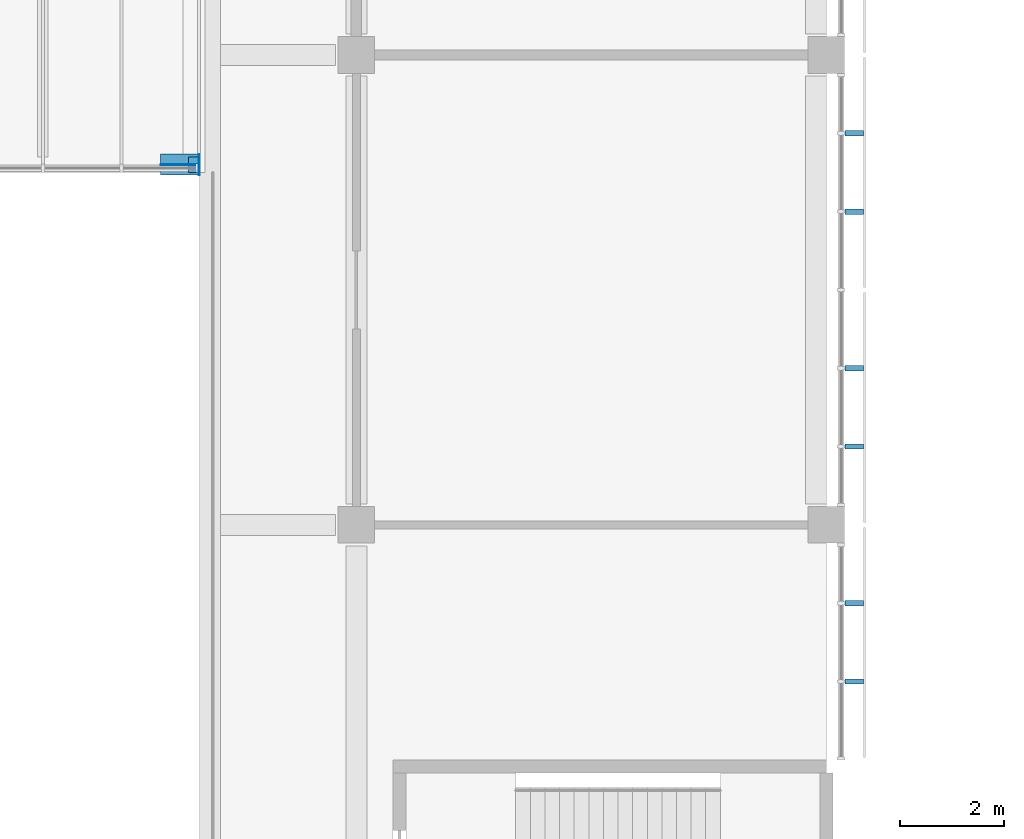
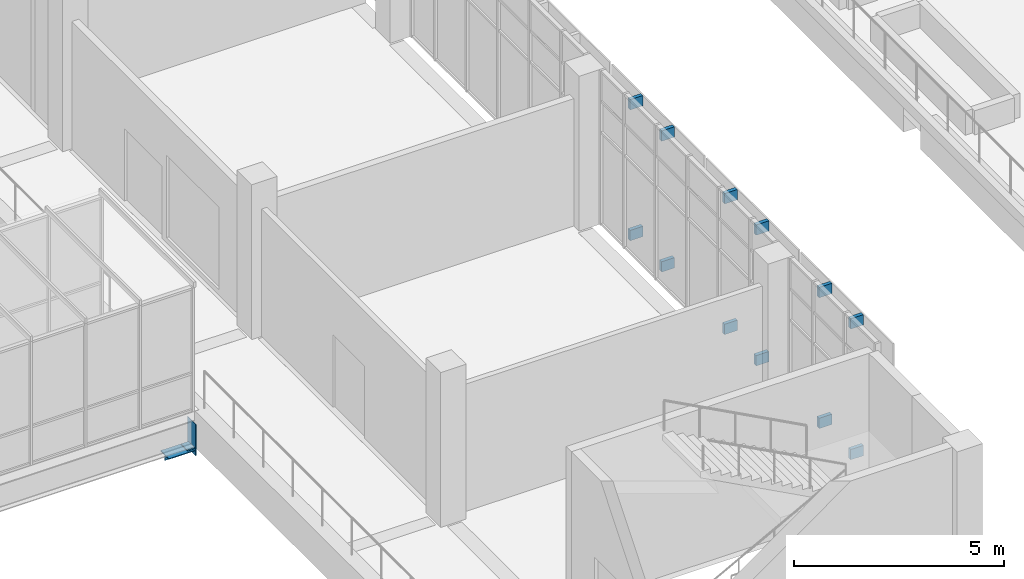
# One storey, part 85 of 106: 16 discrete accessories.
"""IFC4 building model written with IfcOpenShell, lengths in metres."""

from ifc_helpers import new_model, si_unit, direction, frame, origin, origin_2d, place, context, subcontext, project, spatial, rectangle, extrude, material, layer, layer_set, type_object, element, save


model = new_model("IFC4")

# Units and contexts
model_context = context("Model", 3, precision=1e-05, world=origin(), true_north=direction((0.0, 1.0)))
body_context = subcontext(model_context, "Body", "Model", "MODEL_VIEW")
ifc_project = project(units=[si_unit("LENGTHUNIT", "METRE"), si_unit("AREAUNIT", "SQUARE_METRE"), si_unit("VOLUMEUNIT", "CUBIC_METRE"), si_unit("PLANEANGLEUNIT", "RADIAN"), si_unit("MASSUNIT", "GRAM", prefix="KILO")], contexts=[model_context])

# Site, building, storey
site_placement = place(None, origin())
site = spatial("IfcSite", under=ifc_project, at=site_placement, CompositionType="ELEMENT")
building_placement = place(site_placement, origin())
building = spatial("IfcBuilding", under=site, at=building_placement, Name="Guidao Yard Department Store", CompositionType="ELEMENT")
storey_placement = place(building_placement, frame((0.0, 0.0, 10.5)))
storey = spatial("IfcBuildingStorey", under=building, at=storey_placement, Name="L02", CompositionType="ELEMENT", Elevation=10.5)

# Discrete accessories
ifc_material_1 = material(Name="Steel Q355B", Category="steel")
discrete_accessory_type_1 = type_object("IfcDiscreteAccessoryType", Name="Bracket BR2 steel plate", PredefinedType="BRACKET", material=ifc_material_1)
for number, where, z_axis, x_axis, name in (
    (1, (108.534912109375, 51.0, 0.2001953125), (0.0, 0.0, 1.0), (0.0, -1.0, 0.0), "Screen bracket"),
    (2, (108.534912109375, 51.0, 4.0), (0.0, 0.0, 1.0), (0.0, -1.0, 0.0), "Screen bracket"),
    (3, (108.534912109375, 52.5, 0.2001953125), (0.0, 0.0, 1.0), (0.0, -1.0, 0.0), "Screen bracket"),
    (4, (108.534912109375, 52.5, 4.0), (0.0, 0.0, 1.0), (0.0, -1.0, 0.0), "Screen bracket"),
    (5, (108.534912109375, 55.5, 0.2001953125), (0.0, 0.0, 1.0), (0.0, -1.0, 0.0), "Screen bracket"),
    (6, (108.534912109375, 55.5, 4.0), (0.0, 0.0, 1.0), (0.0, -1.0, 0.0), "Screen bracket"),
    (7, (108.534912109375, 57.0, 0.2001953125), (0.0, 0.0, 1.0), (0.0, -1.0, 0.0), "Screen bracket"),
    (8, (108.534912109375, 57.0, 4.0), (0.0, 0.0, 1.0), (0.0, -1.0, 0.0), "Screen bracket"),
    (9, (108.534912109375, 60.0, 0.2001953125), (0.0, 0.0, 1.0), (0.0, -1.0, 0.0), "Screen bracket"),
    (10, (108.534912109375, 60.0, 4.0), (0.0, 0.0, 1.0), (0.0, -1.0, 0.0), "Screen bracket"),
    (11, (108.534912109375, 61.5, 0.2001953125), (0.0, 0.0, 1.0), (0.0, -1.0, 0.0), "Screen bracket"),
    (12, (108.534912109375, 61.5, 4.0), (0.0, 0.0, 1.0), (0.0, -1.0, 0.0), "Screen bracket"),
):
    element("IfcDiscreteAccessory", number, at=place(storey_placement, frame(where, z_axis=z_axis, x_axis=x_axis)), inside=storey, type_object=discrete_accessory_type_1, Name=name, PredefinedType="BRACKET", context=body_context, shape_type="SweptSolid", body=[
        extrude(rectangle(XDim=0.10009765625, YDim=0.35009765625, at=origin_2d()), origin(), (0.0, 0.0, 1.0), 0.300048828125),
    ])
ifc_material_2 = material(Name="Steel Q355B", Category="steel")
ifc_layer_1 = layer(ifc_material_2, 0.014892578125)
ifc_layer_set_1 = layer_set([ifc_layer_1], Name="Bridge girder back plate SB1 steel")
discrete_accessory_type_2 = type_object("IfcDiscreteAccessoryType", Name="Bridge girder back plate SB1 steel", PredefinedType="BRACKET", material=ifc_layer_set_1)
discrete_accessory_1_placement = place(storey_placement, frame((95.992431640625, 60.89990234375, -1.259765625), z_axis=(0.0, 0.0, 1.0), x_axis=(1.0, 0.0, 0.0)))
element("IfcDiscreteAccessory", 13, at=discrete_accessory_1_placement, inside=storey, type_object=discrete_accessory_type_2, Name="Bridge girder back plate BR11S S", PredefinedType="BRACKET", context=body_context, shape_type="SweptSolid", body=[
    extrude(rectangle(XDim=0.014892578125, YDim=0.39990234375, at=origin_2d()), origin(), (0.0, 0.0, 1.0), 0.909912109375),
])
ifc_material_3 = material(Name="Steel Q355B", Category="steel")
ifc_layer_2 = layer(ifc_material_3, 0.02001953125)
ifc_layer_set_2 = layer_set([ifc_layer_2], Name="Bridge girder seat plate SP1 steel 750")
discrete_accessory_type_3 = type_object("IfcDiscreteAccessoryType", Name="Bridge girder seat plate SP1 steel 750", PredefinedType="BRACKET", material=ifc_layer_set_2)
discrete_accessory_2_placement = place(storey_placement, frame((95.617431640625, 60.89990234375, -1.110107421875), z_axis=(0.0, 0.0, 1.0), x_axis=(1.0, 0.0, 0.0)))
element("IfcDiscreteAccessory", 14, at=discrete_accessory_2_placement, inside=storey, type_object=discrete_accessory_type_3, Name="Bridge girder seat plate BR11S S", PredefinedType="BRACKET", context=body_context, shape_type="SweptSolid", body=[
    extrude(rectangle(XDim=0.735107421875, YDim=0.39990234375, at=origin_2d()), origin(), (0.0, 0.0, 1.0), 0.02001953125),
])
ifc_material_4 = material(Name="Steel Q355B", Category="steel")
ifc_layer_3 = layer(ifc_material_4, 0.01611328125)
ifc_layer_set_3 = layer_set([ifc_layer_3], Name="Bridge girder seat rib SR1 steel 16")
discrete_accessory_type_4 = type_object("IfcDiscreteAccessoryType", Name="Bridge girder seat rib SR1 steel 16", PredefinedType="BRACKET", material=ifc_layer_set_3)
discrete_accessory_3_placement = place(storey_placement, frame((95.610107421875, 60.89990234375, -1.260009765625), z_axis=(0.0, 0.0, 1.0), x_axis=(1.0, 0.0, 0.0)))
element("IfcDiscreteAccessory", 15, at=discrete_accessory_3_placement, inside=storey, type_object=discrete_accessory_type_4, Name="Bridge girder seat rib BR11S S", PredefinedType="BRACKET", context=body_context, shape_type="SweptSolid", body=[
    extrude(rectangle(XDim=0.719970703125, YDim=0.01611328125, at=origin_2d()), origin(), (0.0, 0.0, 1.0), 0.14990234375),
])
ifc_material_5 = material(Name="Steel Q355B", Category="steel")
ifc_layer_4 = layer(ifc_material_5, 0.0400390625)
ifc_layer_set_4 = layer_set([ifc_layer_4], Name="Bridge girder sliding bearing BS1 PTFE on steel")
discrete_accessory_type_5 = type_object("IfcDiscreteAccessoryType", Name="Bridge girder sliding bearing BS1 PTFE on steel", PredefinedType="SHOE", material=ifc_layer_set_4)
discrete_accessory_4_placement = place(storey_placement, frame((95.885009765625, 60.89990234375, -1.090087890625), z_axis=(0.0, 0.0, 1.0), x_axis=(1.0, 0.0, 0.0)))
element("IfcDiscreteAccessory", 16, at=discrete_accessory_4_placement, inside=storey, type_object=discrete_accessory_type_5, Name="Bridge girder sliding bearing BR11S", PredefinedType="SHOE", context=body_context, shape_type="SweptSolid", body=[
    extrude(rectangle(XDim=0.199951171875, YDim=0.300048828125, at=origin_2d()), origin(), (0.0, 0.0, 1.0), 0.0400390625),
])

save(model, "model.ifc")
